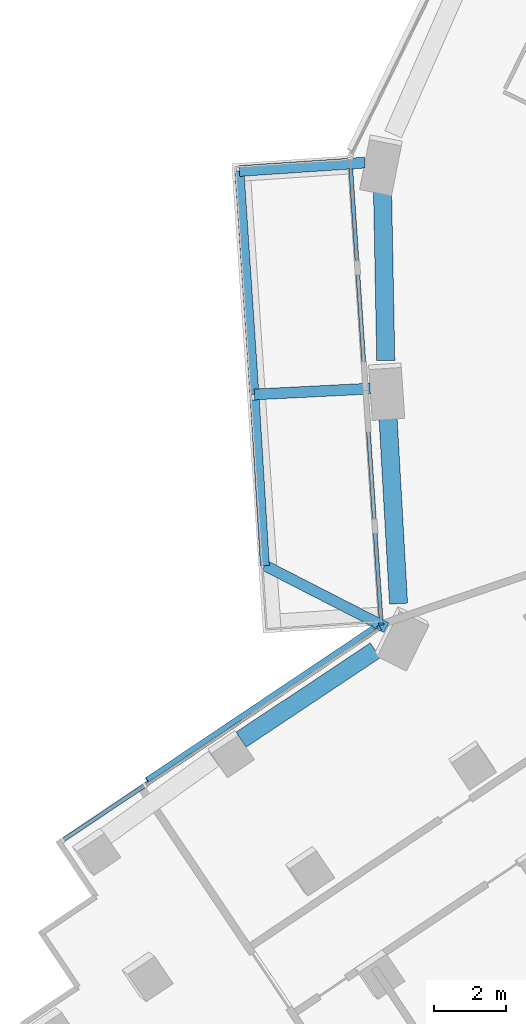
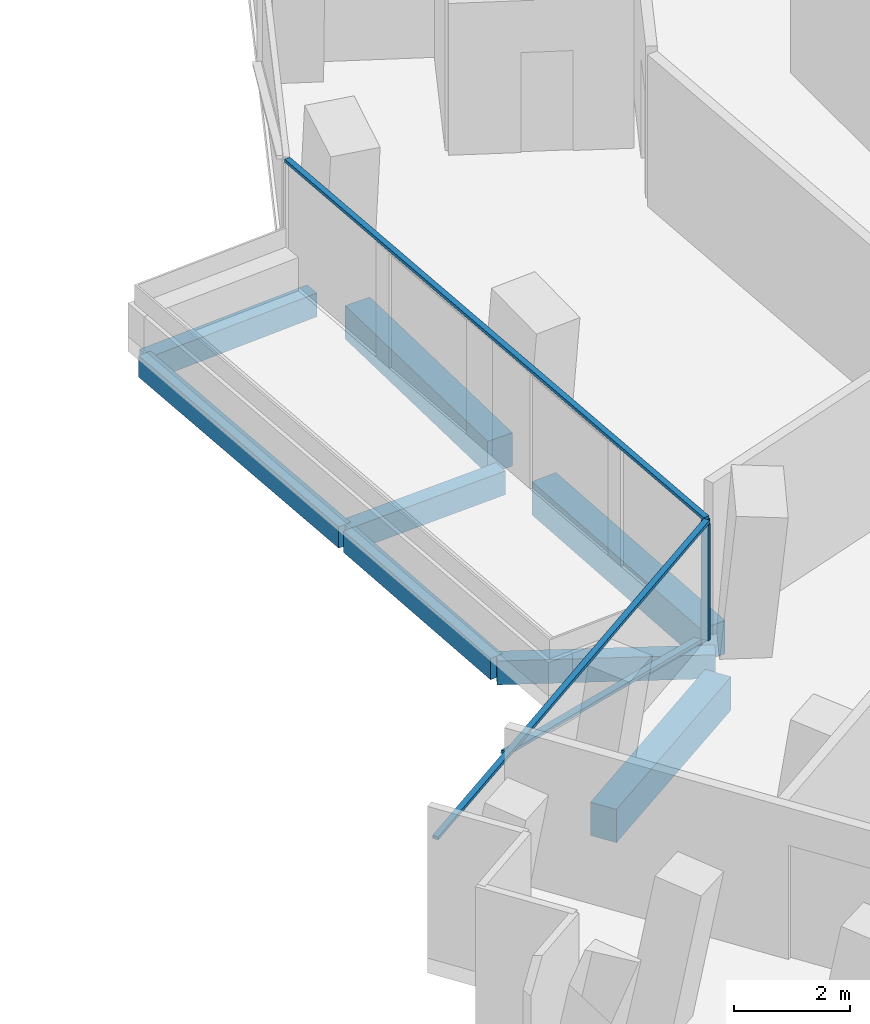
# One storey, part 4 of 25: 8 beams, 5 members, 2 elements without a shape of their own.
"""IFC4 building model written with IfcOpenShell, lengths in metres."""

import ifcopenshell
import ifcopenshell.guid

model = None  # the IFC model being written
_history = None  # IfcOwnerHistory: only IFC2X3 demands one
_inside = {}  # id of a spatial element -> (the spatial element, [elements in it])
_under = {}  # id of a project, library or spatial element -> (it, [spatial elements below it])
_declared = {}  # id of a project -> (the project, [libraries it declares])
_typed = {}  # id of a type object -> (the type object, [elements of that type])
_made_of = {}  # id of a material, layer set ... -> (it, [elements and type objects made of it])


def new_model(schema):
    """Start an empty IFC model of exactly this schema.

    Asked for "IFC4X3", IfcOpenShell would pick the latest addendum, in which some entities
    have other attributes; the version numbers below select the first issue.
    IFC2X3 requires an IfcOwnerHistory on every rooted entity: one is made here for all.
    """
    global model, _history
    if schema == "IFC4X3":
        model = ifcopenshell.file(schema_version=(4, 3, 0, 0))
    else:
        model = ifcopenshell.file(schema=schema)
    _inside.clear()
    _under.clear()
    _declared.clear()
    _typed.clear()
    _made_of.clear()
    _history = None
    if model.schema == "IFC2X3":
        org = make("IfcOrganization", Name="unknown")
        user = make(
            "IfcPersonAndOrganization",
            ThePerson=make("IfcPerson", FamilyName="unknown"),
            TheOrganization=org,
        )
        app = make(
            "IfcApplication",
            ApplicationDeveloper=org,
            Version="unknown",
            ApplicationFullName="unknown",
            ApplicationIdentifier="unknown",
        )
        _history = make(
            "IfcOwnerHistory",
            OwningUser=user,
            OwningApplication=app,
            ChangeAction="ADDED",
            CreationDate=0,
        )
    return model


def make(cls, **values):
    """One entity of the class cls with the attributes given. An attribute that is None is left unset."""
    return model.create_entity(
        cls, **{name: value for name, value in values.items() if value is not None}
    )


def rooted(cls, **values):
    """An entity with a GlobalId (a new one), such as an element, a storey or a relation."""
    return make(cls, GlobalId=ifcopenshell.guid.new(), OwnerHistory=_history, **values)


def si_unit(unit_type, name, prefix=None):
    """IfcSIUnit, for example si_unit("LENGTHUNIT", "METRE", prefix="MILLI")."""
    return make("IfcSIUnit", UnitType=unit_type, Prefix=prefix, Name=name)


def assignment(units):
    """IfcUnitAssignment: the units of a project."""
    return None if units is None else make("IfcUnitAssignment", Units=units)


def point(xyz):
    """IfcCartesianPoint."""
    return None if xyz is None else make("IfcCartesianPoint", Coordinates=xyz)


def direction(xyz):
    """IfcDirection."""
    return None if xyz is None else make("IfcDirection", DirectionRatios=xyz)


def frame(location, z_axis=None, x_axis=None):
    """IfcAxis2Placement3D, a coordinate frame: its origin and axes. An axis left out is left unset."""
    return make(
        "IfcAxis2Placement3D",
        Location=point(location),
        Axis=direction(z_axis),
        RefDirection=direction(x_axis),
    )


def frame_2d(location, x_axis=None):
    """IfcAxis2Placement2D, a coordinate frame in the plane: its origin and x axis."""
    return make(
        "IfcAxis2Placement2D", Location=point(location), RefDirection=direction(x_axis)
    )


def origin():
    """The frame at (0, 0, 0) with its axes left unset."""
    return frame((0.0, 0.0, 0.0))


def origin_2d():
    """The frame at (0, 0) in the plane with its x axis left unset."""
    return frame_2d((0.0, 0.0))


def place(relative_to, where):
    """IfcLocalPlacement: puts the frame where relative to a parent placement (None: the world)."""
    return make(
        "IfcLocalPlacement", PlacementRelTo=relative_to, RelativePlacement=where
    )


def context(
    kind, dimensions, precision=None, world=None, true_north=None, identifier=None
):
    """IfcGeometricRepresentationContext, for example the 3D "Model" context."""
    return make(
        "IfcGeometricRepresentationContext",
        ContextIdentifier=identifier,
        ContextType=kind,
        CoordinateSpaceDimension=dimensions,
        Precision=precision,
        WorldCoordinateSystem=world,
        TrueNorth=true_north,
    )


def subcontext(parent, identifier, kind, view, scale=None):
    """IfcGeometricRepresentationSubContext, for example "Body" below "Model"."""
    return make(
        "IfcGeometricRepresentationSubContext",
        ContextIdentifier=identifier,
        ContextType=kind,
        ParentContext=parent,
        TargetScale=scale,
        TargetView=view,
    )


def project(units=None, contexts=None):
    """IfcProject with its units and contexts."""
    return rooted(
        "IfcProject",
        Name="project",
        RepresentationContexts=contexts,
        UnitsInContext=assignment(units),
    )


def spatial(cls, under=None, at=None, **own):
    """A site, building, storey or space (cls), placed at a placement, below another one or the project."""
    s = rooted(cls, ObjectPlacement=at, **own)
    if under is not None:
        _under.setdefault(under.id(), (under, []))[1].append(s)
    return s


def profile(cls, at=None, kind="AREA", **sizes):
    """A parametric profile (cls). Its sizes go by their IFC names, for example OverallWidth=200.0."""
    return make(cls, ProfileType=kind, Position=at, **sizes)


def rectangle(**sizes):
    """IfcRectangleProfileDef."""
    return profile("IfcRectangleProfileDef", **sizes)


def extrude(swept, where, along, depth):
    """IfcExtrudedAreaSolid: the profile swept, set in the frame where, extruded along a direction by depth."""
    return make(
        "IfcExtrudedAreaSolid",
        SweptArea=swept,
        Position=where,
        ExtrudedDirection=direction(along),
        Depth=depth,
    )


def shape(context_of_items, identifier, shape_type, items):
    """IfcShapeRepresentation: the items that make up one representation, for example the "Body"."""
    return make(
        "IfcShapeRepresentation",
        ContextOfItems=context_of_items,
        RepresentationIdentifier=identifier,
        RepresentationType=shape_type,
        Items=items,
    )


def material(Name=None, Category=None):
    """IfcMaterial."""
    return make("IfcMaterial", Name=Name, Category=Category)


def layer(
    of_material, thickness, ventilated=None, Name=None, Category=None, Priority=None
):
    """IfcMaterialLayer: one layer of a wall or slab, of a material (None: an air gap)."""
    return make(
        "IfcMaterialLayer",
        Material=of_material,
        LayerThickness=thickness,
        IsVentilated=ventilated,
        Name=Name,
        Category=Category,
        Priority=Priority,
    )


def layer_set(layers, Name=None):
    """IfcMaterialLayerSet."""
    return make("IfcMaterialLayerSet", MaterialLayers=layers, LayerSetName=Name)


def material_profile(
    of_material, cross_section, Name=None, Category=None, Priority=None
):
    """IfcMaterialProfile: a cross section and its material."""
    return make(
        "IfcMaterialProfile",
        Name=Name,
        Material=of_material,
        Profile=cross_section,
        Priority=Priority,
        Category=Category,
    )


def profile_set(profiles, Name=None, composite=None):
    """IfcMaterialProfileSet."""
    return make(
        "IfcMaterialProfileSet",
        Name=Name,
        MaterialProfiles=profiles,
        CompositeProfile=composite,
    )


def made_of(thing, what):
    """Note that an element or type object is made of a material, layer set ...; save() writes the relation."""
    if what is not None:
        _made_of.setdefault(what.id(), (what, []))[1].append(thing)
    return thing


def type_object(cls, material=None, **own):
    """A type object (cls), such as IfcWallType, which elements share."""
    return made_of(rooted(cls, **own), material)


def element(
    cls,
    number,
    at=None,
    inside=None,
    cuts=None,
    type_object=None,
    material=None,
    context=None,
    identifier="Body",
    shape_type=None,
    held_by="IfcProductDefinitionShape",
    body=None,
    shapes=None,
    **own,
):
    """One element of the class cls, such as IfcWall. Its Tag is "e" and its number.

    at: its placement. inside: the storey or other place that contains it. cuts: it is an
    opening in that element (IfcRelVoidsElement). A single representation is given by context,
    identifier, shape_type and body (its items); several are given by shapes. held_by: the class
    of the entity that holds the representations. save() writes the other relations.
    """
    e = rooted(cls, Tag="e%d" % number, ObjectPlacement=at, **own)
    if body is not None:
        shapes = [shape(context, identifier, shape_type, body)]
    if shapes is not None:
        e.Representation = make(held_by, Representations=shapes)
    if inside is not None:
        _inside.setdefault(inside.id(), (inside, []))[1].append(e)
    if cuts is not None:
        rooted(
            "IfcRelVoidsElement", RelatingBuildingElement=cuts, RelatedOpeningElement=e
        )
    if type_object is not None:
        _typed.setdefault(type_object.id(), (type_object, []))[1].append(e)
    return made_of(e, material)


def aggregate(whole, parts):
    """IfcRelAggregates: a whole, such as a stair, and the parts it consists of."""
    return rooted("IfcRelAggregates", RelatingObject=whole, RelatedObjects=parts)


def save(model, path):
    """Write the relations noted so far, then the file.

    IfcRelAggregates (storeys below a building ...), IfcRelContainedInSpatialStructure (elements
    in a storey), IfcRelDefinesByType, IfcRelAssociatesMaterial and IfcRelDeclares: one each for
    every whole, place, type object, material and project.
    """
    for whole, parts in _under.values():
        aggregate(whole, parts)
    for where, things in _inside.values():
        rooted(
            "IfcRelContainedInSpatialStructure",
            RelatedElements=things,
            RelatingStructure=where,
        )
    for kind, things in _typed.values():
        rooted("IfcRelDefinesByType", RelatedObjects=things, RelatingType=kind)
    for what, things in _made_of.values():
        rooted("IfcRelAssociatesMaterial", RelatedObjects=things, RelatingMaterial=what)
    for by, libraries in _declared.values():
        rooted("IfcRelDeclares", RelatingContext=by, RelatedDefinitions=libraries)
    model.write(path)


model = new_model("IFC4")

# Units and contexts
model_context = context("Model", 3, precision=1e-05, world=origin(), true_north=direction((0.0, 1.0)))
body_context = subcontext(model_context, "Body", "Model", "MODEL_VIEW")
ifc_project = project(units=[si_unit("LENGTHUNIT", "METRE"), si_unit("AREAUNIT", "SQUARE_METRE"), si_unit("VOLUMEUNIT", "CUBIC_METRE"), si_unit("PLANEANGLEUNIT", "RADIAN"), si_unit("MASSUNIT", "GRAM", prefix="KILO")], contexts=[model_context])

# Site, building, storey
site_placement = place(None, origin())
site = spatial("IfcSite", under=ifc_project, at=site_placement, CompositionType="ELEMENT")
building_placement = place(site_placement, origin())
building = spatial("IfcBuilding", under=site, at=building_placement, Name="Verdalira Terraces Hotel", CompositionType="ELEMENT")
storey_placement = place(building_placement, frame((0.0, 0.0, 49.5)))
storey = spatial("IfcBuildingStorey", under=building, at=storey_placement, Name="L10", CompositionType="ELEMENT", Elevation=49.5)

# Beams
ifc_material_1 = material(Name="Concrete C40", Category="concrete")
ifc_material_profile_1 = material_profile(ifc_material_1, rectangle(XDim=0.300049, YDim=0.5, at=origin_2d()), Name="RC 300X500")
ifc_profile_set_1 = profile_set([ifc_material_profile_1], Name="Concrete C40")
beam_type_1 = type_object("IfcBeamType", Name="Balcony cantilever beam RC 300X500 C40", PredefinedType="BEAM", material=ifc_profile_set_1)
beam_1_placement = place(storey_placement, frame((-24.154297, 4.678223, -0.560059), z_axis=(-0.997756438, -0.066948416, 0.0), x_axis=(0.066948416, -0.997756438, 0.0)))
element("IfcBeam", 1, at=beam_1_placement, inside=storey, type_object=beam_type_1, Name="Balcony cantilever beam R13-1", PredefinedType="BEAM", context=body_context, shape_type="SweptSolid", body=[
    extrude(rectangle(XDim=0.300049, YDim=0.5, at=origin_2d()), origin(), (0.0, 0.0, 1.0), 3.47168),
])
beam_2_placement = place(storey_placement, frame((-24.006836, -1.568604, -0.560059), z_axis=(-0.998735927, -0.050264776, 0.0), x_axis=(0.050264776, -0.998735927, 0.0)))
element("IfcBeam", 2, at=beam_2_placement, inside=storey, type_object=beam_type_1, Name="Balcony cantilever beam R13-2", PredefinedType="BEAM", context=body_context, shape_type="SweptSolid", body=[
    extrude(rectangle(XDim=0.300049, YDim=0.5, at=origin_2d()), origin(), (0.0, 0.0, 1.0), 3.200928),
])
beam_3_placement = place(storey_placement, frame((-23.559326, -8.175781, -0.560059), z_axis=(-0.890085661, 0.455793283, 0.0), x_axis=(-0.455793283, -0.890085661, 0.0)))
element("IfcBeam", 3, at=beam_3_placement, inside=storey, type_object=beam_type_1, Name="Balcony cantilever beam R13-3", PredefinedType="BEAM", context=body_context, shape_type="SweptSolid", body=[
    extrude(rectangle(XDim=0.300049, YDim=0.5, at=origin_2d()), origin(), (0.0, 0.0, 1.0), 3.769775),
])
ifc_material_2 = material(Name="Concrete C40", Category="concrete")
ifc_material_profile_2 = material_profile(ifc_material_2, rectangle(XDim=0.25, YDim=0.449951, at=origin_2d()), Name="RC 250X450")
ifc_profile_set_2 = profile_set([ifc_material_profile_2], Name="Concrete C40")
beam_type_2 = type_object("IfcBeamType", Name="Balcony edge beam RC 250X450 C40", PredefinedType="BEAM", material=ifc_profile_set_2)
beam_4_placement = place(storey_placement, frame((-27.618164, 4.445801, -0.534912), z_axis=(0.066979792, -0.997754332, 0.0), x_axis=(0.997754332, 0.066979792, 0.0)))
element("IfcBeam", 4, at=beam_4_placement, inside=storey, type_object=beam_type_2, Name="Balcony edge beam R13-1", PredefinedType="BEAM", context=body_context, shape_type="SweptSolid", body=[
    extrude(rectangle(XDim=0.25, YDim=0.449951, at=origin_2d()), origin(), (0.0, 0.0, 1.0), 6.189209),
])
beam_5_placement = place(storey_placement, frame((-27.19458, -1.87915, -0.534912), z_axis=(0.060996434, -0.998137984, 0.0), x_axis=(0.998137984, 0.060996434, 0.0)))
element("IfcBeam", 5, at=beam_5_placement, inside=storey, type_object=beam_type_2, Name="Balcony edge beam R13-2", PredefinedType="BEAM", context=body_context, shape_type="SweptSolid", body=[
    extrude(rectangle(XDim=0.25, YDim=0.449951, at=origin_2d()), origin(), (0.0, 0.0, 1.0), 4.586914),
])

# Curtain wall, members
ifc_material_3 = material(Name="Clear glass", Category="glass")
ifc_layer_1 = layer(ifc_material_3, 0.14990234375)
ifc_layer_set_1 = layer_set([ifc_layer_1], Name="CW1 curtain wall")
curtain_wall_type_1 = type_object("IfcCurtainWallType", Name="CW1 curtain wall", PredefinedType="NOTDEFINED", material=ifc_layer_set_1)
curtain_wall_1_placement = place(storey_placement, origin())
curtain_wall_1 = element("IfcCurtainWall", 6, at=curtain_wall_1_placement, inside=storey, type_object=curtain_wall_type_1, Name="CW1 curtain wall L10 edge 13", PredefinedType="NOTDEFINED")
ifc_material_4 = material(Name="Terracotta frame", Category="masonry")
ifc_material_profile_3 = material_profile(ifc_material_4, rectangle(XDim=0.060059, YDim=0.149902, at=origin_2d()), Name="MU 60x150")
ifc_profile_set_3 = profile_set([ifc_material_profile_3], Name="Terracotta frame")
member_type_1 = type_object("IfcMemberType", Name="CW1 mullion 60x150", PredefinedType="MULLION", material=ifc_profile_set_3)
member_1_placement = place(storey_placement, frame((-23.695801, -8.074951, 0.0), z_axis=(0.0, 0.0, 1.0), x_axis=(0.066970481, -0.997754957, 0.0)))
member_1 = element("IfcMember", 7, at=member_1_placement, type_object=member_type_1, Name="CW1 mullion", PredefinedType="MULLION", context=body_context, shape_type="SweptSolid", body=[
    extrude(rectangle(XDim=0.060059, YDim=0.149902, at=origin_2d()), origin(), (0.0, 0.0, 1.0), 2.425049),
])
ifc_material_5 = material(Name="Terracotta frame", Category="masonry")
ifc_material_profile_4 = material_profile(ifc_material_5, rectangle(XDim=0.110107, YDim=0.064941, at=origin_2d()), Name="TR 65x110")
ifc_profile_set_4 = profile_set([ifc_material_profile_4], Name="Terracotta frame")
member_type_2 = type_object("IfcMemberType", Name="CW1 transom 65x110", PredefinedType="USERDEFINED", material=ifc_profile_set_4)
member_2_placement = place(storey_placement, frame((-24.561768, 4.825684, 2.45752), z_axis=(0.066970374, -0.997754964, 0.0), x_axis=(0.997754964, 0.066970374, 0.0)))
member_2 = element("IfcMember", 8, at=member_2_placement, type_object=member_type_2, Name="CW1 transom", ObjectType="TRANSOM", PredefinedType="USERDEFINED", context=body_context, shape_type="SweptSolid", body=[
    extrude(rectangle(XDim=0.110107, YDim=0.064941, at=origin_2d()), origin(), (0.0, 0.0, 1.0), 12.959717),
])
aggregate(curtain_wall_1, [member_1, member_2])

ifc_material_6 = material(Name="Clear glass", Category="glass")
ifc_layer_2 = layer(ifc_material_6, 0.14990234375)
ifc_layer_set_2 = layer_set([ifc_layer_2], Name="CW2 curtain wall")
curtain_wall_type_2 = type_object("IfcCurtainWallType", Name="CW2 curtain wall", PredefinedType="NOTDEFINED", material=ifc_layer_set_2)
curtain_wall_2_placement = place(storey_placement, origin())
curtain_wall_2 = element("IfcCurtainWall", 9, at=curtain_wall_2_placement, inside=storey, type_object=curtain_wall_type_2, Name="CW2 curtain wall L10 edge 14", PredefinedType="NOTDEFINED")
ifc_material_7 = material(Name="Terracotta frame", Category="masonry")
ifc_material_profile_5 = material_profile(ifc_material_7, rectangle(XDim=0.070068, YDim=0.149902, at=origin_2d()), Name="MU 70x150")
ifc_profile_set_5 = profile_set([ifc_material_profile_5], Name="Terracotta frame")
member_type_3 = type_object("IfcMemberType", Name="CW2 mullion 70x150", PredefinedType="MULLION", material=ifc_profile_set_5)
member_3_placement = place(storey_placement, frame((-23.755859, -8.191895, 0.0), z_axis=(0.0, 0.0, 1.0), x_axis=(-0.830595899, -0.556875616, 0.0)))
member_3 = element("IfcMember", 10, at=member_3_placement, type_object=member_type_3, Name="CW2 mullion", PredefinedType="MULLION", context=body_context, shape_type="SweptSolid", body=[
    extrude(rectangle(XDim=0.070068, YDim=0.149902, at=origin_2d()), origin(), (0.0, 0.0, 1.0), 2.425049),
])
ifc_material_8 = material(Name="Terracotta frame", Category="masonry")
ifc_material_profile_6 = material_profile(ifc_material_8, rectangle(XDim=0.11499, YDim=0.064941, at=origin_2d()), Name="TR 65x115")
ifc_profile_set_6 = profile_set([ifc_material_profile_6], Name="Terracotta frame")
member_type_4 = type_object("IfcMemberType", Name="CW2 transom 65x115", PredefinedType="USERDEFINED", material=ifc_profile_set_6)
member_4_placement = place(storey_placement, frame((-23.726807, -8.172363, 2.45752), z_axis=(-0.830598138, -0.556872277, 0.0), x_axis=(0.556872277, -0.830598138, 0.0)))
member_4 = element("IfcMember", 11, at=member_4_placement, type_object=member_type_4, Name="CW2 transom", ObjectType="TRANSOM", PredefinedType="USERDEFINED", context=body_context, shape_type="SweptSolid", body=[
    extrude(rectangle(XDim=0.11499, YDim=0.064941, at=origin_2d()), origin(), (0.0, 0.0, 1.0), 10.599609),
])
ifc_material_9 = material(Name="Terracotta frame", Category="masonry")
ifc_material_profile_7 = material_profile(ifc_material_9, rectangle(XDim=0.149902, YDim=0.060059, at=origin_2d()), Name="GB 60x150")
ifc_profile_set_7 = profile_set([ifc_material_profile_7], Name="Terracotta frame")
member_type_5 = type_object("IfcMemberType", Name="Diagonal glazing bar 60x150", PredefinedType="USERDEFINED", material=ifc_profile_set_7)
member_5_placement = place(storey_placement, frame((-23.912842, -8.1875, 0.029297), z_axis=(-0.792468808, -0.53130975, 0.299504821), x_axis=(0.55687313, -0.830597567, 0.0)))
member_5 = element("IfcMember", 12, at=member_5_placement, type_object=member_type_5, Name="Diagonal glazing bar", ObjectType="GLAZING BAR", PredefinedType="USERDEFINED", context=body_context, shape_type="SweptSolid", body=[
    extrude(rectangle(XDim=0.149902, YDim=0.060059, at=origin_2d()), origin(), (0.0, 0.0, 1.0), 7.901123),
])
aggregate(curtain_wall_2, [member_3, member_4, member_5])

# Beams
ifc_material_10 = material(Name="Concrete C70", Category="concrete")
ifc_material_profile_8 = material_profile(ifc_material_10, rectangle(XDim=0.5, YDim=0.699951, at=origin_2d()), Name="RC 500X700")
ifc_profile_set_8 = profile_set([ifc_material_profile_8], Name="Concrete C70")
beam_type_3 = type_object("IfcBeamType", Name="Spandrel beam RC 500X700 C70", PredefinedType="SPANDREL", material=ifc_profile_set_8)
beam_6_placement = place(storey_placement, frame((-23.664307, 3.965088, -0.659912), z_axis=(0.019135497, -0.9998169, 0.0), x_axis=(0.9998169, 0.019135497, 0.0)))
element("IfcBeam", 13, at=beam_6_placement, inside=storey, type_object=beam_type_3, Name="Spandrel beam B12", PredefinedType="SPANDREL", context=body_context, shape_type="SweptSolid", body=[
    extrude(rectangle(XDim=0.5, YDim=0.699951, at=origin_2d()), origin(), (0.0, 0.0, 1.0), 4.759033),
])
beam_7_placement = place(storey_placement, frame((-23.52002, -2.208252, -0.659912), z_axis=(0.056528871, -0.998400965, 0.0), x_axis=(0.998400965, 0.056528871, 0.0)))
element("IfcBeam", 14, at=beam_7_placement, inside=storey, type_object=beam_type_3, Name="Spandrel beam B13", PredefinedType="SPANDREL", context=body_context, shape_type="SweptSolid", body=[
    extrude(rectangle(XDim=0.5, YDim=0.699951, at=origin_2d()), origin(), (0.0, 0.0, 1.0), 5.312256),
])
beam_8_placement = place(storey_placement, frame((-23.864014, -8.80249, -0.659912), z_axis=(-0.832387672, -0.554193796, 0.0), x_axis=(0.554193796, -0.832387672, 0.0)))
element("IfcBeam", 15, at=beam_8_placement, inside=storey, type_object=beam_type_3, Name="Spandrel beam B14", PredefinedType="SPANDREL", context=body_context, shape_type="SweptSolid", body=[
    extrude(rectangle(XDim=0.5, YDim=0.699951, at=origin_2d()), origin(), (0.0, 0.0, 1.0), 4.451172),
])

save(model, "model.ifc")
